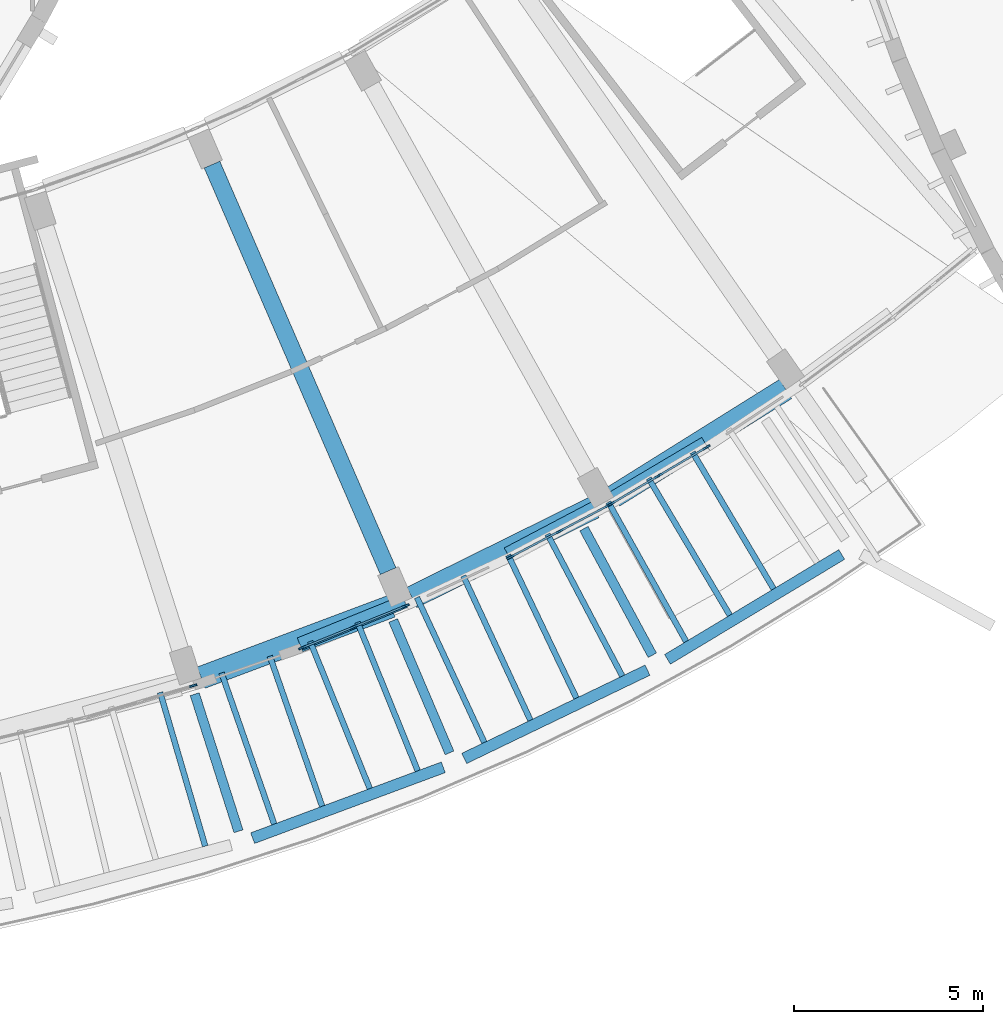
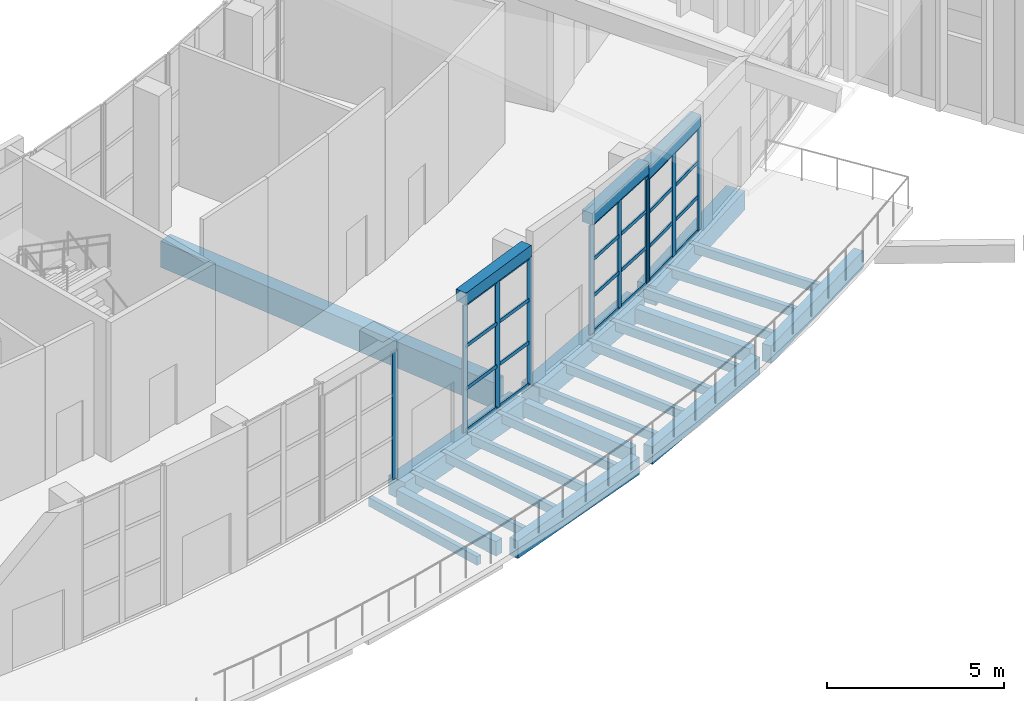
# One storey, part 21 of 93: 34 members, 25 beams, 4 elements without a shape of their own.
"""IFC4 building model written with IfcOpenShell, lengths in metres."""

from ifc_helpers import new_model, si_unit, direction, frame, origin, origin_2d, place, context, subcontext, project, spatial, rectangle, extrude, material, material_profile, profile_set, type_object, element, aggregate, save


model = new_model("IFC4")

# Units and contexts
model_context = context("Model", 3, precision=1e-05, world=origin(), true_north=direction((0.0, 1.0)))
body_context = subcontext(model_context, "Body", "Model", "MODEL_VIEW")
ifc_project = project(units=[si_unit("LENGTHUNIT", "METRE"), si_unit("AREAUNIT", "SQUARE_METRE"), si_unit("VOLUMEUNIT", "CUBIC_METRE"), si_unit("PLANEANGLEUNIT", "RADIAN"), si_unit("MASSUNIT", "GRAM", prefix="KILO")], contexts=[model_context])

# Site, building, storey
site_placement = place(None, origin())
site = spatial("IfcSite", under=ifc_project, at=site_placement, CompositionType="ELEMENT")
building_placement = place(site_placement, origin())
building = spatial("IfcBuilding", under=site, at=building_placement, Name="Tide Square Theatres", CompositionType="ELEMENT")
storey_placement = place(building_placement, frame((0.0, 0.0, 5.39990234375)))
storey = spatial("IfcBuildingStorey", under=building, at=storey_placement, Name="L01", CompositionType="ELEMENT", Elevation=5.39990234375)

# Curtain wall, member
ifc_material_1 = material(Name="Aluminium 6063-T5", Category="aluminium")
curtain_wall_type_1 = type_object("IfcCurtainWallType", Name="Unitised system curtain wall 4600 high", PredefinedType="USERDEFINED", material=ifc_material_1)
curtain_wall_1_placement = place(storey_placement, origin())
curtain_wall_1 = element("IfcCurtainWall", 1, at=curtain_wall_1_placement, inside=storey, type_object=curtain_wall_type_1, Name="Foyer outer curtain wall", ObjectType="UNITISED SYSTEM", PredefinedType="USERDEFINED")
ifc_material_2 = material(Name="Aluminium 6063-T5", Category="aluminium")
ifc_material_profile_1 = material_profile(ifc_material_2, rectangle(XDim=0.050048828125, YDim=0.199951171875, at=origin_2d()))
ifc_profile_set_1 = profile_set([ifc_material_profile_1], Name="Aluminium 6063-T5")
member_type_1 = type_object("IfcMemberType", Name="Aluminium mullion 50 x 200", PredefinedType="MULLION", material=ifc_profile_set_1)
member_1_placement = place(storey_placement, frame((102.249267578125, 10.974609375, 0.0), z_axis=(0.0, 0.0, 1.0), x_axis=(-0.281278914607, 0.959626058524, 0.0)))
member_1 = element("IfcMember", 2, at=member_1_placement, type_object=member_type_1, Name="CW-03 mullion 3", PredefinedType="MULLION", context=body_context, shape_type="SweptSolid", body=[
    extrude(rectangle(XDim=0.050048828125, YDim=0.199951171875, at=origin_2d()), origin(), (0.0, 0.0, 1.0), 4.400146484375),
])
aggregate(curtain_wall_1, [member_1])

# Curtain wall, members
curtain_wall_2_placement = place(storey_placement, origin())
curtain_wall_2 = element("IfcCurtainWall", 3, at=curtain_wall_2_placement, inside=storey, type_object=curtain_wall_type_1, Name="Foyer outer curtain wall", ObjectType="UNITISED SYSTEM", PredefinedType="USERDEFINED")
member_2_placement = place(storey_placement, frame((105.125732421875, 11.9765625, 0.0), z_axis=(0.0, 0.0, 1.0), x_axis=(-0.375731450489, 0.9267285887, 0.0)))
member_2 = element("IfcMember", 4, at=member_2_placement, type_object=member_type_1, Name="CW-03 mullion 1", PredefinedType="MULLION", context=body_context, shape_type="SweptSolid", body=[
    extrude(rectangle(XDim=0.050048828125, YDim=0.199951171875, at=origin_2d()), origin(), (0.0, 0.0, 1.0), 4.400146484375),
])
member_3_placement = place(storey_placement, frame((106.490966796875, 12.530029296875, 0.0), z_axis=(0.0, 0.0, 1.0), x_axis=(-0.375731450489, 0.9267285887, 0.0)))
member_3 = element("IfcMember", 5, at=member_3_placement, type_object=member_type_1, Name="CW-03 mullion 2", PredefinedType="MULLION", context=body_context, shape_type="SweptSolid", body=[
    extrude(rectangle(XDim=0.050048828125, YDim=0.199951171875, at=origin_2d()), origin(), (0.0, 0.0, 1.0), 4.400146484375),
])
member_4_placement = place(storey_placement, frame((107.85595703125, 13.08349609375, 0.0), z_axis=(0.0, 0.0, 1.0), x_axis=(-0.375731450489, 0.9267285887, 0.0)))
member_4 = element("IfcMember", 6, at=member_4_placement, type_object=member_type_1, Name="CW-03 mullion 3", PredefinedType="MULLION", context=body_context, shape_type="SweptSolid", body=[
    extrude(rectangle(XDim=0.050048828125, YDim=0.199951171875, at=origin_2d()), origin(), (0.0, 0.0, 1.0), 4.400146484375),
])

ifc_material_3 = material(Name="Aluminium 6063-T5", Category="aluminium")
curtain_wall_type_2 = type_object("IfcCurtainWallType", Name="Unitised system curtain wall 3600 high", PredefinedType="USERDEFINED", material=ifc_material_3)
curtain_wall_3_placement = place(storey_placement, origin())
curtain_wall_3 = element("IfcCurtainWall", 7, at=curtain_wall_3_placement, inside=storey, type_object=curtain_wall_type_2, Name="Foyer outer curtain wall", ObjectType="UNITISED SYSTEM", PredefinedType="USERDEFINED")
member_5_placement = place(storey_placement, frame((110.617919921875, 14.36767578125, 0.0), z_axis=(0.0, 0.0, 1.0), x_axis=(-0.466454747277, 0.88454506315, 0.0)))
member_5 = element("IfcMember", 8, at=member_5_placement, type_object=member_type_1, Name="CW-05 mullion 1", PredefinedType="MULLION", context=body_context, shape_type="SweptSolid", body=[
    extrude(rectangle(XDim=0.050048828125, YDim=0.199951171875, at=origin_2d()), origin(), (0.0, 0.0, 1.0), 3.765380859375),
])
member_6_placement = place(storey_placement, frame((111.920654296875, 15.0546875, 0.0), z_axis=(0.0, 0.0, 1.0), x_axis=(-0.466454747277, 0.88454506315, 0.0)))
member_6 = element("IfcMember", 9, at=member_6_placement, type_object=member_type_1, Name="CW-05 mullion 2", PredefinedType="MULLION", context=body_context, shape_type="SweptSolid", body=[
    extrude(rectangle(XDim=0.050048828125, YDim=0.199951171875, at=origin_2d()), origin(), (0.0, 0.0, 1.0), 3.765380859375),
])
member_7_placement = place(storey_placement, frame((113.2236328125, 15.741943359375, 0.0), z_axis=(0.0, 0.0, 1.0), x_axis=(-0.466454747277, 0.88454506315, 0.0)))
member_7 = element("IfcMember", 10, at=member_7_placement, type_object=member_type_1, Name="CW-05 mullion 3", PredefinedType="MULLION", context=body_context, shape_type="SweptSolid", body=[
    extrude(rectangle(XDim=0.050048828125, YDim=0.199951171875, at=origin_2d()), origin(), (0.0, 0.0, 1.0), 3.765380859375),
])

curtain_wall_4_placement = place(storey_placement, origin())
curtain_wall_4 = element("IfcCurtainWall", 11, at=curtain_wall_4_placement, inside=storey, type_object=curtain_wall_type_2, Name="Foyer outer curtain wall", ObjectType="UNITISED SYSTEM", PredefinedType="USERDEFINED")
member_8_placement = place(storey_placement, frame((113.267333984375, 15.766357421875, 0.0), z_axis=(0.0, 0.0, 1.0), x_axis=(-0.510125330576, 0.860100079703, 0.0)))
member_8 = element("IfcMember", 12, at=member_8_placement, type_object=member_type_1, Name="CW-05 mullion 1", PredefinedType="MULLION", context=body_context, shape_type="SweptSolid", body=[
    extrude(rectangle(XDim=0.050048828125, YDim=0.199951171875, at=origin_2d()), origin(), (0.0, 0.0, 1.0), 3.57568359375),
])
member_9_placement = place(storey_placement, frame((114.5341796875, 16.517578125, 0.0), z_axis=(0.0, 0.0, 1.0), x_axis=(-0.510125330576, 0.860100079703, 0.0)))
member_9 = element("IfcMember", 13, at=member_9_placement, type_object=member_type_1, Name="CW-05 mullion 2", PredefinedType="MULLION", context=body_context, shape_type="SweptSolid", body=[
    extrude(rectangle(XDim=0.050048828125, YDim=0.199951171875, at=origin_2d()), origin(), (0.0, 0.0, 1.0), 3.57568359375),
])
member_10_placement = place(storey_placement, frame((115.801025390625, 17.26904296875, 0.0), z_axis=(0.0, 0.0, 1.0), x_axis=(-0.510125330576, 0.860100079703, 0.0)))
member_10 = element("IfcMember", 14, at=member_10_placement, type_object=member_type_1, Name="CW-05 mullion 3", PredefinedType="MULLION", context=body_context, shape_type="SweptSolid", body=[
    extrude(rectangle(XDim=0.050048828125, YDim=0.199951171875, at=origin_2d()), origin(), (0.0, 0.0, 1.0), 3.57568359375),
])

# Member
ifc_material_4 = material(Name="Aluminium 6063-T5", Category="aluminium")
ifc_material_profile_2 = material_profile(ifc_material_4, rectangle(XDim=0.050048828125, YDim=0.125, at=origin_2d()))
ifc_profile_set_2 = profile_set([ifc_material_profile_2], Name="Aluminium 6063-T5")
member_type_2 = type_object("IfcMemberType", Name="Aluminium transom 50 x 125", PredefinedType="USERDEFINED", material=ifc_profile_set_2)
member_11_placement = place(storey_placement, frame((105.14892578125, 11.98583984375, 0.025146484375), z_axis=(0.926739268223, 0.375705108739, 0.0), x_axis=(-0.375705108739, 0.926739268223, 0.0)))
member_11 = element("IfcMember", 15, at=member_11_placement, type_object=member_type_2, Name="CW-03 transom 1.1", ObjectType="TRANSOM", PredefinedType="USERDEFINED", context=body_context, shape_type="SweptSolid", body=[
    extrude(rectangle(XDim=0.050048828125, YDim=0.125, at=origin_2d()), origin(), (0.0, 0.0, 1.0), 1.423095703125),
])

member_12_placement = place(storey_placement, frame((105.14892578125, 11.98583984375, 1.466796875), z_axis=(0.926739268223, 0.375705108739, 0.0), x_axis=(-0.375705108739, 0.926739268223, 0.0)))
member_12 = element("IfcMember", 16, at=member_12_placement, type_object=member_type_2, Name="CW-03 transom 1.2", ObjectType="TRANSOM", PredefinedType="USERDEFINED", context=body_context, shape_type="SweptSolid", body=[
    extrude(rectangle(XDim=0.050048828125, YDim=0.125, at=origin_2d()), origin(), (0.0, 0.0, 1.0), 1.423095703125),
])

member_13_placement = place(storey_placement, frame((105.14892578125, 11.98583984375, 2.933349609375), z_axis=(0.926739268223, 0.375705108739, 0.0), x_axis=(-0.375705108739, 0.926739268223, 0.0)))
member_13 = element("IfcMember", 17, at=member_13_placement, type_object=member_type_2, Name="CW-03 transom 1.3", ObjectType="TRANSOM", PredefinedType="USERDEFINED", context=body_context, shape_type="SweptSolid", body=[
    extrude(rectangle(XDim=0.050048828125, YDim=0.125, at=origin_2d()), origin(), (0.0, 0.0, 1.0), 1.423095703125),
])

member_14_placement = place(storey_placement, frame((105.14892578125, 11.98583984375, 4.375), z_axis=(0.926739268223, 0.375705108739, 0.0), x_axis=(-0.375705108739, 0.926739268223, 0.0)))
member_14 = element("IfcMember", 18, at=member_14_placement, type_object=member_type_2, Name="CW-03 transom 1.4", ObjectType="TRANSOM", PredefinedType="USERDEFINED", context=body_context, shape_type="SweptSolid", body=[
    extrude(rectangle(XDim=0.050048828125, YDim=0.125, at=origin_2d()), origin(), (0.0, 0.0, 1.0), 1.423095703125),
])

member_15_placement = place(storey_placement, frame((106.513916015625, 12.539306640625, 0.025146484375), z_axis=(0.926739268223, 0.375705108739, 0.0), x_axis=(-0.375705108739, 0.926739268223, 0.0)))
member_15 = element("IfcMember", 19, at=member_15_placement, type_object=member_type_2, Name="CW-03 transom 2.1", ObjectType="TRANSOM", PredefinedType="USERDEFINED", context=body_context, shape_type="SweptSolid", body=[
    extrude(rectangle(XDim=0.050048828125, YDim=0.125, at=origin_2d()), origin(), (0.0, 0.0, 1.0), 1.423095703125),
])

member_16_placement = place(storey_placement, frame((106.513916015625, 12.539306640625, 1.466796875), z_axis=(0.926739268223, 0.375705108739, 0.0), x_axis=(-0.375705108739, 0.926739268223, 0.0)))
member_16 = element("IfcMember", 20, at=member_16_placement, type_object=member_type_2, Name="CW-03 transom 2.2", ObjectType="TRANSOM", PredefinedType="USERDEFINED", context=body_context, shape_type="SweptSolid", body=[
    extrude(rectangle(XDim=0.050048828125, YDim=0.125, at=origin_2d()), origin(), (0.0, 0.0, 1.0), 1.423095703125),
])

member_17_placement = place(storey_placement, frame((106.513916015625, 12.539306640625, 2.933349609375), z_axis=(0.926739268223, 0.375705108739, 0.0), x_axis=(-0.375705108739, 0.926739268223, 0.0)))
member_17 = element("IfcMember", 21, at=member_17_placement, type_object=member_type_2, Name="CW-03 transom 2.3", ObjectType="TRANSOM", PredefinedType="USERDEFINED", context=body_context, shape_type="SweptSolid", body=[
    extrude(rectangle(XDim=0.050048828125, YDim=0.125, at=origin_2d()), origin(), (0.0, 0.0, 1.0), 1.423095703125),
])

member_18_placement = place(storey_placement, frame((106.513916015625, 12.539306640625, 4.375), z_axis=(0.926739268223, 0.375705108739, 0.0), x_axis=(-0.375705108739, 0.926739268223, 0.0)))
member_18 = element("IfcMember", 22, at=member_18_placement, type_object=member_type_2, Name="CW-03 transom 2.4", ObjectType="TRANSOM", PredefinedType="USERDEFINED", context=body_context, shape_type="SweptSolid", body=[
    extrude(rectangle(XDim=0.050048828125, YDim=0.125, at=origin_2d()), origin(), (0.0, 0.0, 1.0), 1.423095703125),
])

aggregate(curtain_wall_2, [member_2, member_3, member_4, member_11, member_12, member_13, member_14, member_15, member_16, member_17, member_18])

member_19_placement = place(storey_placement, frame((110.639892578125, 14.37939453125, 0.025146484375), z_axis=(0.884612854385, 0.466326171105, 0.0), x_axis=(-0.466326171105, 0.884612854385, 0.0)))
member_19 = element("IfcMember", 23, at=member_19_placement, type_object=member_type_2, Name="CW-05 transom 1.1", ObjectType="TRANSOM", PredefinedType="USERDEFINED", context=body_context, shape_type="SweptSolid", body=[
    extrude(rectangle(XDim=0.050048828125, YDim=0.125, at=origin_2d()), origin(), (0.0, 0.0, 1.0), 1.423095703125),
])

member_20_placement = place(storey_placement, frame((110.639892578125, 14.37939453125, 1.255126953125), z_axis=(0.884612854385, 0.466326171105, 0.0), x_axis=(-0.466326171105, 0.884612854385, 0.0)))
member_20 = element("IfcMember", 24, at=member_20_placement, type_object=member_type_2, Name="CW-05 transom 1.2", ObjectType="TRANSOM", PredefinedType="USERDEFINED", context=body_context, shape_type="SweptSolid", body=[
    extrude(rectangle(XDim=0.050048828125, YDim=0.125, at=origin_2d()), origin(), (0.0, 0.0, 1.0), 1.423095703125),
])

member_21_placement = place(storey_placement, frame((110.639892578125, 14.37939453125, 2.51025390625), z_axis=(0.884612854385, 0.466326171105, 0.0), x_axis=(-0.466326171105, 0.884612854385, 0.0)))
member_21 = element("IfcMember", 25, at=member_21_placement, type_object=member_type_2, Name="CW-05 transom 1.3", ObjectType="TRANSOM", PredefinedType="USERDEFINED", context=body_context, shape_type="SweptSolid", body=[
    extrude(rectangle(XDim=0.050048828125, YDim=0.125, at=origin_2d()), origin(), (0.0, 0.0, 1.0), 1.423095703125),
])

member_22_placement = place(storey_placement, frame((110.639892578125, 14.37939453125, 3.740478515625), z_axis=(0.884612854385, 0.466326171105, 0.0), x_axis=(-0.466326171105, 0.884612854385, 0.0)))
member_22 = element("IfcMember", 26, at=member_22_placement, type_object=member_type_2, Name="CW-05 transom 1.4", ObjectType="TRANSOM", PredefinedType="USERDEFINED", context=body_context, shape_type="SweptSolid", body=[
    extrude(rectangle(XDim=0.050048828125, YDim=0.125, at=origin_2d()), origin(), (0.0, 0.0, 1.0), 1.423095703125),
])

member_23_placement = place(storey_placement, frame((111.94287109375, 15.06640625, 0.025146484375), z_axis=(0.884542074291, 0.46646041505, 0.0), x_axis=(-0.46646041505, 0.884542074291, 0.0)))
member_23 = element("IfcMember", 27, at=member_23_placement, type_object=member_type_2, Name="CW-05 transom 2.1", ObjectType="TRANSOM", PredefinedType="USERDEFINED", context=body_context, shape_type="SweptSolid", body=[
    extrude(rectangle(XDim=0.050048828125, YDim=0.125, at=origin_2d()), origin(), (0.0, 0.0, 1.0), 1.423095703125),
])

member_24_placement = place(storey_placement, frame((111.94287109375, 15.06640625, 1.255126953125), z_axis=(0.884542074291, 0.46646041505, 0.0), x_axis=(-0.46646041505, 0.884542074291, 0.0)))
member_24 = element("IfcMember", 28, at=member_24_placement, type_object=member_type_2, Name="CW-05 transom 2.2", ObjectType="TRANSOM", PredefinedType="USERDEFINED", context=body_context, shape_type="SweptSolid", body=[
    extrude(rectangle(XDim=0.050048828125, YDim=0.125, at=origin_2d()), origin(), (0.0, 0.0, 1.0), 1.423095703125),
])

member_25_placement = place(storey_placement, frame((111.94287109375, 15.06640625, 2.51025390625), z_axis=(0.884542074291, 0.46646041505, 0.0), x_axis=(-0.46646041505, 0.884542074291, 0.0)))
member_25 = element("IfcMember", 29, at=member_25_placement, type_object=member_type_2, Name="CW-05 transom 2.3", ObjectType="TRANSOM", PredefinedType="USERDEFINED", context=body_context, shape_type="SweptSolid", body=[
    extrude(rectangle(XDim=0.050048828125, YDim=0.125, at=origin_2d()), origin(), (0.0, 0.0, 1.0), 1.423095703125),
])

member_26_placement = place(storey_placement, frame((111.94287109375, 15.06640625, 3.740478515625), z_axis=(0.884542074291, 0.46646041505, 0.0), x_axis=(-0.46646041505, 0.884542074291, 0.0)))
member_26 = element("IfcMember", 30, at=member_26_placement, type_object=member_type_2, Name="CW-05 transom 2.4", ObjectType="TRANSOM", PredefinedType="USERDEFINED", context=body_context, shape_type="SweptSolid", body=[
    extrude(rectangle(XDim=0.050048828125, YDim=0.125, at=origin_2d()), origin(), (0.0, 0.0, 1.0), 1.423095703125),
])

aggregate(curtain_wall_3, [member_5, member_6, member_7, member_19, member_20, member_21, member_22, member_23, member_24, member_25, member_26])

member_27_placement = place(storey_placement, frame((113.288818359375, 15.779052734375, 0.025146484375), z_axis=(0.860115899162, 0.510098657133, 0.0), x_axis=(-0.510098657133, 0.860115899162, 0.0)))
member_27 = element("IfcMember", 31, at=member_27_placement, type_object=member_type_2, Name="CW-05 transom 1.1", ObjectType="TRANSOM", PredefinedType="USERDEFINED", context=body_context, shape_type="SweptSolid", body=[
    extrude(rectangle(XDim=0.050048828125, YDim=0.125, at=origin_2d()), origin(), (0.0, 0.0, 1.0), 1.4228515625),
])

member_28_placement = place(storey_placement, frame((113.288818359375, 15.779052734375, 1.19189453125), z_axis=(0.860115899162, 0.510098657133, 0.0), x_axis=(-0.510098657133, 0.860115899162, 0.0)))
member_28 = element("IfcMember", 32, at=member_28_placement, type_object=member_type_2, Name="CW-05 transom 1.2", ObjectType="TRANSOM", PredefinedType="USERDEFINED", context=body_context, shape_type="SweptSolid", body=[
    extrude(rectangle(XDim=0.050048828125, YDim=0.125, at=origin_2d()), origin(), (0.0, 0.0, 1.0), 1.4228515625),
])

member_29_placement = place(storey_placement, frame((113.288818359375, 15.779052734375, 2.3837890625), z_axis=(0.860115899162, 0.510098657133, 0.0), x_axis=(-0.510098657133, 0.860115899162, 0.0)))
member_29 = element("IfcMember", 33, at=member_29_placement, type_object=member_type_2, Name="CW-05 transom 1.3", ObjectType="TRANSOM", PredefinedType="USERDEFINED", context=body_context, shape_type="SweptSolid", body=[
    extrude(rectangle(XDim=0.050048828125, YDim=0.125, at=origin_2d()), origin(), (0.0, 0.0, 1.0), 1.4228515625),
])

member_30_placement = place(storey_placement, frame((113.288818359375, 15.779052734375, 3.55078125), z_axis=(0.860115899162, 0.510098657133, 0.0), x_axis=(-0.510098657133, 0.860115899162, 0.0)))
member_30 = element("IfcMember", 34, at=member_30_placement, type_object=member_type_2, Name="CW-05 transom 1.4", ObjectType="TRANSOM", PredefinedType="USERDEFINED", context=body_context, shape_type="SweptSolid", body=[
    extrude(rectangle(XDim=0.050048828125, YDim=0.125, at=origin_2d()), origin(), (0.0, 0.0, 1.0), 1.4228515625),
])

member_31_placement = place(storey_placement, frame((114.5556640625, 16.530517578125, 0.025146484375), z_axis=(0.860115899162, 0.510098657133, 0.0), x_axis=(-0.510098657133, 0.860115899162, 0.0)))
member_31 = element("IfcMember", 35, at=member_31_placement, type_object=member_type_2, Name="CW-05 transom 2.1", ObjectType="TRANSOM", PredefinedType="USERDEFINED", context=body_context, shape_type="SweptSolid", body=[
    extrude(rectangle(XDim=0.050048828125, YDim=0.125, at=origin_2d()), origin(), (0.0, 0.0, 1.0), 1.4228515625),
])

member_32_placement = place(storey_placement, frame((114.5556640625, 16.530517578125, 1.19189453125), z_axis=(0.860115899162, 0.510098657133, 0.0), x_axis=(-0.510098657133, 0.860115899162, 0.0)))
member_32 = element("IfcMember", 36, at=member_32_placement, type_object=member_type_2, Name="CW-05 transom 2.2", ObjectType="TRANSOM", PredefinedType="USERDEFINED", context=body_context, shape_type="SweptSolid", body=[
    extrude(rectangle(XDim=0.050048828125, YDim=0.125, at=origin_2d()), origin(), (0.0, 0.0, 1.0), 1.4228515625),
])

member_33_placement = place(storey_placement, frame((114.5556640625, 16.530517578125, 2.3837890625), z_axis=(0.860115899162, 0.510098657133, 0.0), x_axis=(-0.510098657133, 0.860115899162, 0.0)))
member_33 = element("IfcMember", 37, at=member_33_placement, type_object=member_type_2, Name="CW-05 transom 2.3", ObjectType="TRANSOM", PredefinedType="USERDEFINED", context=body_context, shape_type="SweptSolid", body=[
    extrude(rectangle(XDim=0.050048828125, YDim=0.125, at=origin_2d()), origin(), (0.0, 0.0, 1.0), 1.4228515625),
])

member_34_placement = place(storey_placement, frame((114.5556640625, 16.530517578125, 3.55078125), z_axis=(0.860115899162, 0.510098657133, 0.0), x_axis=(-0.510098657133, 0.860115899162, 0.0)))
member_34 = element("IfcMember", 38, at=member_34_placement, type_object=member_type_2, Name="CW-05 transom 2.4", ObjectType="TRANSOM", PredefinedType="USERDEFINED", context=body_context, shape_type="SweptSolid", body=[
    extrude(rectangle(XDim=0.050048828125, YDim=0.125, at=origin_2d()), origin(), (0.0, 0.0, 1.0), 1.4228515625),
])

aggregate(curtain_wall_4, [member_8, member_9, member_10, member_27, member_28, member_29, member_30, member_31, member_32, member_33, member_34])

# Beams
ifc_material_5 = material(Name="Concrete C35", Category="concrete")
ifc_material_profile_3 = material_profile(ifc_material_5, rectangle(XDim=0.14990234375, YDim=0.300048828125, at=origin_2d()))
ifc_profile_set_3 = profile_set([ifc_material_profile_3], Name="Concrete C35")
beam_type_1 = type_object("IfcBeamType", Name="RC arcade roof rib 150 x 300", PredefinedType="JOIST", material=ifc_profile_set_3)
beam_1_placement = place(storey_placement, frame((102.56298828125, 6.738037109375, -0.349853515625), z_axis=(-0.281287852321, 0.959623438718, 0.0), x_axis=(-0.959623438718, -0.281287852321, 0.0)))
element("IfcBeam", 39, at=beam_1_placement, inside=storey, type_object=beam_type_1, Name="Arcade roof rib", PredefinedType="JOIST", context=body_context, shape_type="SweptSolid", body=[
    extrude(rectangle(XDim=0.14990234375, YDim=0.300048828125, at=origin_2d()), origin(), (0.0, 0.0, 1.0), 4.228515625),
])
beam_2_placement = place(storey_placement, frame((104.384765625, 7.320068359375, -0.349853515625), z_axis=(-0.328917092279, 0.944358801731, 0.0), x_axis=(-0.944358801731, -0.328917092279, 0.0)))
element("IfcBeam", 40, at=beam_2_placement, inside=storey, type_object=beam_type_1, Name="Arcade roof rib", PredefinedType="JOIST", context=body_context, shape_type="SweptSolid", body=[
    extrude(rectangle(XDim=0.14990234375, YDim=0.300048828125, at=origin_2d()), origin(), (0.0, 0.0, 1.0), 4.22705078125),
])
beam_3_placement = place(storey_placement, frame((105.650390625, 7.7900390625, -0.349853515625), z_axis=(-0.328964758438, 0.944342198414, 0.0), x_axis=(-0.944342198414, -0.328964758438, 0.0)))
element("IfcBeam", 41, at=beam_3_placement, inside=storey, type_object=beam_type_1, Name="Arcade roof rib", PredefinedType="JOIST", context=body_context, shape_type="SweptSolid", body=[
    extrude(rectangle(XDim=0.14990234375, YDim=0.300048828125, at=origin_2d()), origin(), (0.0, 0.0, 1.0), 4.19970703125),
])
beam_4_placement = place(storey_placement, frame((106.90869140625, 8.257568359375, -0.349853515625), z_axis=(-0.375705108739, 0.926739268223, 0.0), x_axis=(-0.926739268223, -0.375705108739, 0.0)))
element("IfcBeam", 42, at=beam_4_placement, inside=storey, type_object=beam_type_1, Name="Arcade roof rib", PredefinedType="JOIST", context=body_context, shape_type="SweptSolid", body=[
    extrude(rectangle(XDim=0.14990234375, YDim=0.300048828125, at=origin_2d()), origin(), (0.0, 0.0, 1.0), 4.19140625),
])
beam_5_placement = place(storey_placement, frame((108.17431640625, 8.727783203125, -0.349853515625), z_axis=(-0.375764042114, 0.926715374133, 0.0), x_axis=(-0.926715374133, -0.375764042114, 0.0)))
element("IfcBeam", 43, at=beam_5_placement, inside=storey, type_object=beam_type_1, Name="Arcade roof rib", PredefinedType="JOIST", context=body_context, shape_type="SweptSolid", body=[
    extrude(rectangle(XDim=0.14990234375, YDim=0.300048828125, at=origin_2d()), origin(), (0.0, 0.0, 1.0), 4.23095703125),
])
beam_6_placement = place(storey_placement, frame((109.93408203125, 9.476318359375, -0.349853515625), z_axis=(-0.421605778508, 0.906779227557, 0.0), x_axis=(-0.906779227557, -0.421605778508, 0.0)))
element("IfcBeam", 44, at=beam_6_placement, inside=storey, type_object=beam_type_1, Name="Arcade roof rib", PredefinedType="JOIST", context=body_context, shape_type="SweptSolid", body=[
    extrude(rectangle(XDim=0.14990234375, YDim=0.300048828125, at=origin_2d()), origin(), (0.0, 0.0, 1.0), 4.220947265625),
])
beam_7_placement = place(storey_placement, frame((111.150390625, 10.06201171875, -0.349853515625), z_axis=(-0.42158745993, 0.90678774453, 0.0), x_axis=(-0.90678774453, -0.42158745993, 0.0)))
element("IfcBeam", 45, at=beam_7_placement, inside=storey, type_object=beam_type_1, Name="Arcade roof rib", PredefinedType="JOIST", context=body_context, shape_type="SweptSolid", body=[
    extrude(rectangle(XDim=0.14990234375, YDim=0.300048828125, at=origin_2d()), origin(), (0.0, 0.0, 1.0), 4.20263671875),
])
beam_8_placement = place(storey_placement, frame((112.365478515625, 10.647216796875, -0.349853515625), z_axis=(-0.430895907175, 0.902401638507, 0.0), x_axis=(-0.902401638507, -0.430895907175, 0.0)))
element("IfcBeam", 46, at=beam_8_placement, inside=storey, type_object=beam_type_1, Name="Arcade roof rib", PredefinedType="JOIST", context=body_context, shape_type="SweptSolid", body=[
    extrude(rectangle(XDim=0.14990234375, YDim=0.300048828125, at=origin_2d()), origin(), (0.0, 0.0, 1.0), 4.184326171875),
])
beam_9_placement = place(storey_placement, frame((113.576416015625, 11.22998046875, -0.349853515625), z_axis=(-0.466452673777, 0.884546156583, 0.0), x_axis=(-0.884546156583, -0.466452673777, 0.0)))
element("IfcBeam", 47, at=beam_9_placement, inside=storey, type_object=beam_type_1, Name="Arcade roof rib", PredefinedType="JOIST", context=body_context, shape_type="SweptSolid", body=[
    extrude(rectangle(XDim=0.14990234375, YDim=0.300048828125, at=origin_2d()), origin(), (0.0, 0.0, 1.0), 4.230712890625),
])
beam_10_placement = place(storey_placement, frame((115.2626953125, 12.140869140625, -0.349853515625), z_axis=(-0.487501799575, 0.873121981977, 0.0), x_axis=(-0.873121981977, -0.487501799575, 0.0)))
element("IfcBeam", 48, at=beam_10_placement, inside=storey, type_object=beam_type_1, Name="Arcade roof rib", PredefinedType="JOIST", context=body_context, shape_type="SweptSolid", body=[
    extrude(rectangle(XDim=0.14990234375, YDim=0.300048828125, at=origin_2d()), origin(), (0.0, 0.0, 1.0), 4.212646484375),
])
beam_11_placement = place(storey_placement, frame((116.416015625, 12.835205078125, -0.349853515625), z_axis=(-0.510157481213, 0.860081010349, 0.0), x_axis=(-0.860081010349, -0.510157481213, 0.0)))
element("IfcBeam", 49, at=beam_11_placement, inside=storey, type_object=beam_type_1, Name="Arcade roof rib", PredefinedType="JOIST", context=body_context, shape_type="SweptSolid", body=[
    extrude(rectangle(XDim=0.14990234375, YDim=0.300048828125, at=origin_2d()), origin(), (0.0, 0.0, 1.0), 4.2021484375),
])
beam_12_placement = place(storey_placement, frame((117.572509765625, 13.53125, -0.349853515625), z_axis=(-0.510105564747, 0.860111802508, 0.0), x_axis=(-0.860111802508, -0.510105564747, 0.0)))
element("IfcBeam", 50, at=beam_12_placement, inside=storey, type_object=beam_type_1, Name="Arcade roof rib", PredefinedType="JOIST", context=body_context, shape_type="SweptSolid", body=[
    extrude(rectangle(XDim=0.14990234375, YDim=0.300048828125, at=origin_2d()), origin(), (0.0, 0.0, 1.0), 4.193603515625),
])
ifc_material_6 = material(Name="Concrete C35", Category="concrete")
ifc_material_profile_4 = material_profile(ifc_material_6, rectangle(XDim=0.25, YDim=0.5, at=origin_2d()))
ifc_profile_set_4 = profile_set([ifc_material_profile_4], Name="Concrete C35")
beam_type_2 = type_object("IfcBeamType", Name="RC beam 250 x 500", PredefinedType="BEAM", material=ifc_profile_set_4)
for number, where, z_axis, x_axis, name in (
    (51, (103.44189453125, 7.12939453125, -0.449951171875), (-0.304213854545, 0.952603763746, 0.0), (-0.952603763746, -0.304213854545, 0.0), "Arcade slab beam"),
    (52, (109.01416015625, 9.199462890625, -0.449951171875), (-0.391452155935, 0.92019846208, 0.0), (-0.92019846208, -0.391452155935, 0.0), "Arcade slab beam"),
    (53, (114.369873046875, 11.7783203125, -0.449951171875), (-0.47531007508, 0.879818352007, 0.0), (-0.879818352007, -0.47531007508, 0.0), "Arcade slab beam"),
):
    element("IfcBeam", number, at=place(storey_placement, frame(where, z_axis=z_axis, x_axis=x_axis)), inside=storey, type_object=beam_type_2, Name=name, PredefinedType="BEAM", context=body_context, shape_type="SweptSolid", body=[
        extrude(rectangle(XDim=0.25, YDim=0.5, at=origin_2d()), origin(), (0.0, 0.0, 1.0), 3.800048828125),
    ])
ifc_material_7 = material(Name="Concrete C35", Category="concrete")
ifc_material_profile_5 = material_profile(ifc_material_7, rectangle(XDim=0.300048828125, YDim=0.60009765625, at=origin_2d()))
ifc_profile_set_5 = profile_set([ifc_material_profile_5], Name="Concrete C35")
beam_type_3 = type_object("IfcBeamType", Name="RC beam 300 x 600", PredefinedType="BEAM", material=ifc_profile_set_5)
beam_13_placement = place(storey_placement, frame((103.814453125, 6.9482421875, -0.5), z_axis=(0.937417219253, 0.348208209333, 0.0), x_axis=(-0.348208209333, 0.937417219253, 0.0)))
element("IfcBeam", 54, at=beam_13_placement, inside=storey, type_object=beam_type_3, Name="Colonnade beam", PredefinedType="BEAM", context=body_context, shape_type="SweptSolid", body=[
    extrude(rectangle(XDim=0.300048828125, YDim=0.60009765625, at=origin_2d()), origin(), (0.0, 0.0, 1.0), 5.3720703125),
])
for number, where, z_axis, x_axis, name in (
    (55, (109.40185546875, 9.053466796875, -0.5), (0.900981274437, 0.433857975741, 0.0), (-0.433857975741, 0.900981274437, 0.0), "Colonnade beam"),
    (56, (114.769287109375, 11.6689453125, -0.5), (0.856798459211, 0.515651432941, 0.0), (-0.515651432941, 0.856798459211, 0.0), "Colonnade beam"),
):
    element("IfcBeam", number, at=place(storey_placement, frame(where, z_axis=z_axis, x_axis=x_axis)), inside=storey, type_object=beam_type_3, Name=name, PredefinedType="BEAM", context=body_context, shape_type="SweptSolid", body=[
        extrude(rectangle(XDim=0.300048828125, YDim=0.60009765625, at=origin_2d()), origin(), (0.0, 0.0, 1.0), 5.372314453125),
    ])
ifc_material_8 = material(Name="Concrete C35", Category="concrete")
ifc_material_profile_6 = material_profile(ifc_material_8, rectangle(XDim=0.35009765625, YDim=0.39990234375, at=origin_2d()))
ifc_profile_set_6 = profile_set([ifc_material_profile_6], Name="Concrete C35")
beam_type_4 = type_object("IfcBeamType", Name="RC beam 350 x 400", PredefinedType="BEAM", material=ifc_profile_set_6)
for number, where, z_axis, x_axis, name in (
    (57, (105.059326171875, 12.073486328125, 4.60009765625), (0.926690183021, 0.375826162864, 0.0), (-0.375826162864, 0.926690183021, 0.0), "Foyer fascia head beam"),
    (58, (110.5419921875, 14.457763671875, 3.96533203125), (0.884553818348, 0.466438144286, 0.0), (-0.466438144286, 0.884553818348, 0.0), "Foyer fascia head beam"),
    (59, (113.18701171875, 15.852294921875, 3.775634765625), (0.860070410163, 0.510175351779, 0.0), (-0.510175351779, 0.860070410163, 0.0), "Foyer fascia head beam"),
):
    element("IfcBeam", number, at=place(storey_placement, frame(where, z_axis=z_axis, x_axis=x_axis)), inside=storey, type_object=beam_type_4, Name=name, PredefinedType="BEAM", context=body_context, shape_type="SweptSolid", body=[
        extrude(rectangle(XDim=0.35009765625, YDim=0.39990234375, at=origin_2d()), origin(), (0.0, 0.0, 1.0), 2.99609375),
    ])
ifc_material_9 = material(Name="Concrete C35", Category="concrete")
ifc_material_profile_7 = material_profile(ifc_material_9, rectangle(XDim=0.449951171875, YDim=0.89990234375, at=origin_2d()))
ifc_profile_set_7 = profile_set([ifc_material_profile_7], Name="Concrete C35")
beam_type_5 = type_object("IfcBeamType", Name="RC beam 450 x 900", PredefinedType="BEAM", material=ifc_profile_set_7)
beam_14_placement = place(storey_placement, frame((107.393310546875, 13.999267578125, -0.669921875), z_axis=(-0.397512568666, 0.917596729371, 0.0), x_axis=(-0.917596729371, -0.397512568666, 0.0)))
element("IfcBeam", 60, at=beam_14_placement, inside=storey, type_object=beam_type_5, Name="Foyer floor girder", PredefinedType="BEAM", context=body_context, shape_type="SweptSolid", body=[
    extrude(rectangle(XDim=0.449951171875, YDim=0.89990234375, at=origin_2d()), origin(), (0.0, 0.0, 1.0), 11.699951171875),
])
ifc_material_10 = material(Name="Concrete C35", Category="concrete")
ifc_material_profile_8 = material_profile(ifc_material_10, rectangle(XDim=0.60009765625, YDim=0.64990234375, at=origin_2d()))
ifc_profile_set_8 = profile_set([ifc_material_profile_8], Name="Concrete C35")
beam_type_6 = type_object("IfcBeamType", Name="RC spandrel beam 600 x 650", PredefinedType="SPANDREL", material=ifc_profile_set_8)
for number, where, z_axis, x_axis, name in (
    (61, (102.455078125, 11.1865234375, -0.544921875), (0.936267348521, 0.351288274916, 0.0), (-0.351288274916, 0.936267348521, 0.0), "Foyer outer spandrel beam"),
    (62, (108.02001953125, 13.30615234375, -0.544921875), (0.896631473181, 0.442777598011, 0.0), (-0.442777598011, 0.896631473181, 0.0), "Foyer outer spandrel beam"),
    (63, (113.345947265625, 15.969482421875, -0.544921875), (0.848108394867, 0.529822753906, 0.0), (-0.529822753906, 0.848108394867, 0.0), "Foyer outer spandrel beam"),
):
    element("IfcBeam", number, at=place(storey_placement, frame(where, z_axis=z_axis, x_axis=x_axis)), inside=storey, type_object=beam_type_6, Name=name, PredefinedType="SPANDREL", context=body_context, shape_type="SweptSolid", body=[
        extrude(rectangle(XDim=0.60009765625, YDim=0.64990234375, at=origin_2d()), origin(), (0.0, 0.0, 1.0), 5.356201171875),
    ])

save(model, "model.ifc")
